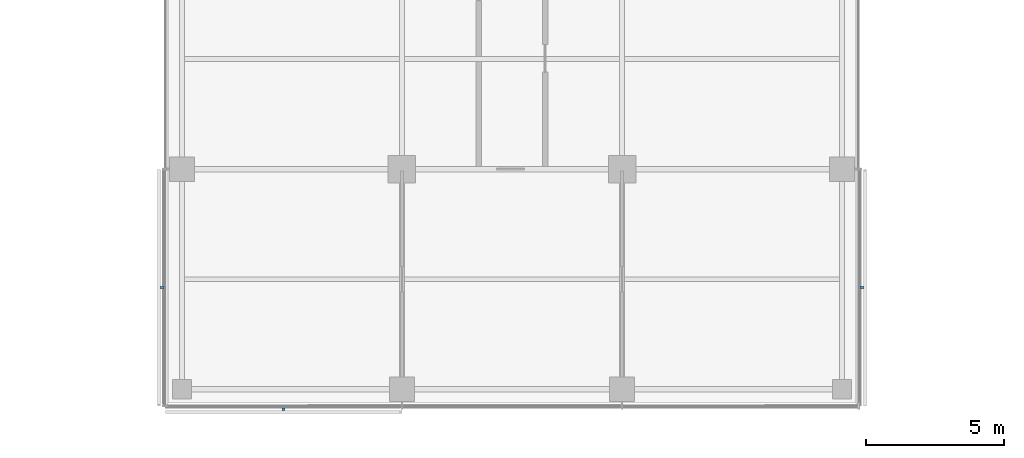
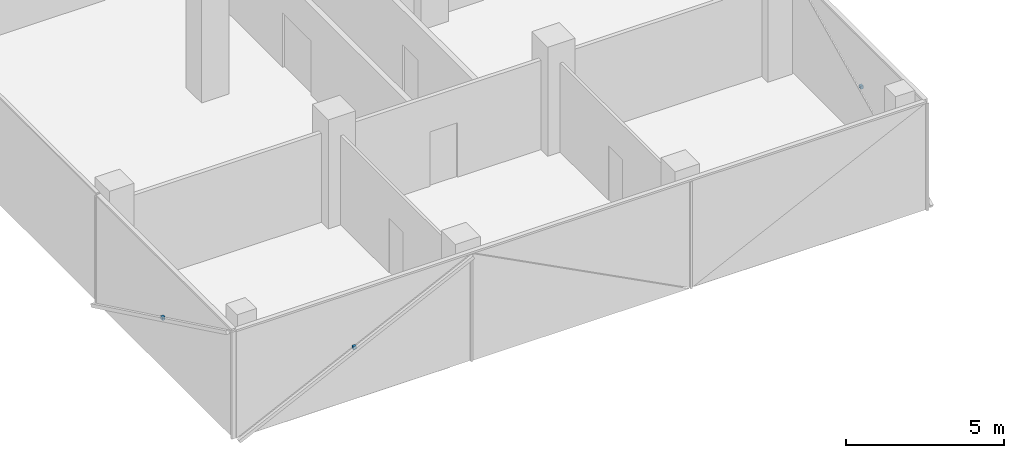
# One storey, part 18 of 22: 3 discrete accessories.
"""IFC4 building model written with IfcOpenShell, lengths in metres."""

from ifc_helpers import new_model, si_unit, direction, frame, origin, origin_2d, place, context, subcontext, project, spatial, rectangle, extrude, material, type_object, element, save


model = new_model("IFC4")

# Units and contexts
model_context = context("Model", 3, precision=1e-05, world=origin(), true_north=direction((0.0, 1.0)))
body_context = subcontext(model_context, "Body", "Model", "MODEL_VIEW")
ifc_project = project(units=[si_unit("LENGTHUNIT", "METRE"), si_unit("AREAUNIT", "SQUARE_METRE"), si_unit("VOLUMEUNIT", "CUBIC_METRE"), si_unit("PLANEANGLEUNIT", "RADIAN"), si_unit("MASSUNIT", "GRAM", prefix="KILO")], contexts=[model_context])

# Site, building, storey
site_placement = place(None, origin())
site = spatial("IfcSite", under=ifc_project, at=site_placement, CompositionType="ELEMENT")
building_placement = place(site_placement, origin())
building = spatial("IfcBuilding", under=site, at=building_placement, Name="Crosswind Convention Tower", CompositionType="ELEMENT")
storey_placement = place(building_placement, frame((0.0, 0.0, 125.300048828125)))
storey = spatial("IfcBuildingStorey", under=building, at=storey_placement, Name="L25", CompositionType="ELEMENT", Elevation=125.300048828125)

# Discrete accessories
ifc_material = material(Name="Stainless steel", Category="steel")
discrete_accessory_type = type_object("IfcDiscreteAccessoryType", Name="BAGUETTE BRACKET BK3", PredefinedType="BRACKET", material=ifc_material)
for number, where, z_axis, x_axis, name in (
    (1, (112.27392578125, 75.695068359375, 1.704833984375), (0.0, 0.0, 1.0), (0.0, -1.0, 0.0), "BK3 baguette bracket"),
    (2, (116.695068359375, 71.27392578125, 1.704833984375), (0.0, 0.0, 1.0), (1.0, 0.0, 0.0), "BK3 baguette bracket"),
    (3, (137.72607421875, 75.695068359375, 1.704833984375), (0.0, 0.0, 1.0), (0.0, 1.0, 0.0), "BK3 baguette bracket"),
):
    element("IfcDiscreteAccessory", number, at=place(storey_placement, frame(where, z_axis=z_axis, x_axis=x_axis)), inside=storey, type_object=discrete_accessory_type, Name=name, PredefinedType="BRACKET", context=body_context, shape_type="SweptSolid", body=[
        extrude(rectangle(XDim=0.1201171875, YDim=0.10009765625, at=origin_2d()), origin(), (0.0, 0.0, 1.0), 0.1201171875),
    ])

save(model, "model.ifc")
